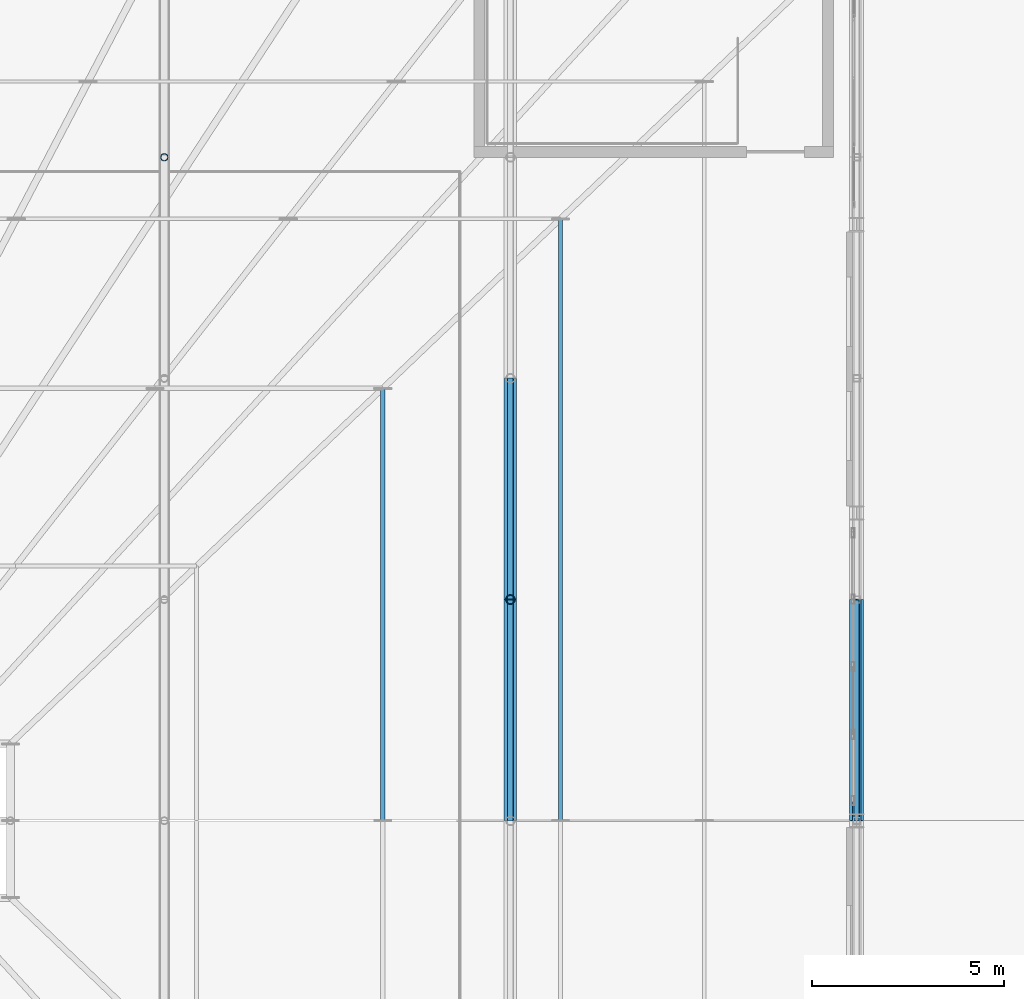
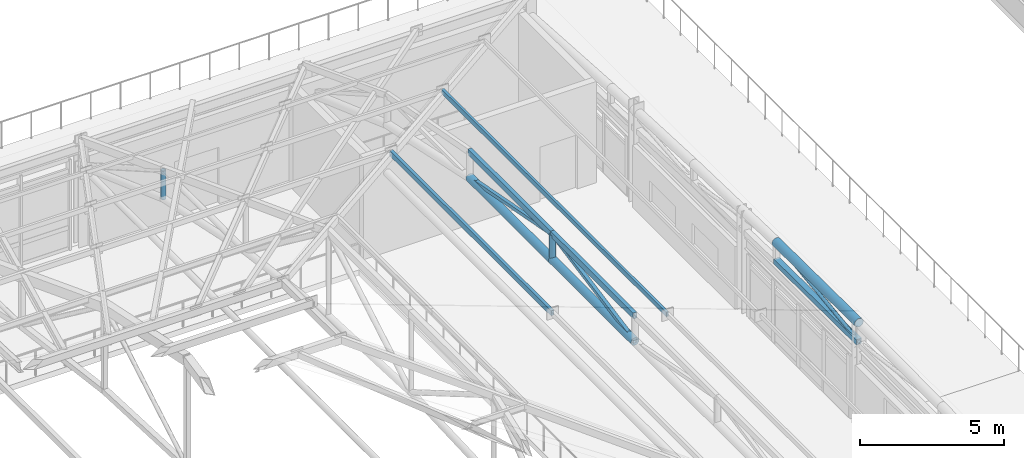
# One storey, part 62 of 168: 10 members, 3 beams.
"""IFC4 building model written with IfcOpenShell, lengths in metres."""

from ifc_helpers import new_model, si_unit, direction, frame, origin, origin_2d, place, context, subcontext, project, spatial, hollow_rectangle, hollow_circle, extrude, material, material_profile, profile_set, type_object, element, save


model = new_model("IFC4")

# Units and contexts
model_context = context("Model", 3, precision=1e-05, world=origin(), true_north=direction((0.0, 1.0)))
body_context = subcontext(model_context, "Body", "Model", "MODEL_VIEW")
ifc_project = project(units=[si_unit("LENGTHUNIT", "METRE"), si_unit("AREAUNIT", "SQUARE_METRE"), si_unit("VOLUMEUNIT", "CUBIC_METRE"), si_unit("PLANEANGLEUNIT", "RADIAN"), si_unit("MASSUNIT", "GRAM", prefix="KILO"), si_unit("THERMODYNAMICTEMPERATUREUNIT", "KELVIN"), si_unit("POWERUNIT", "WATT")], contexts=[model_context])

# Site, building, storey
site_placement = place(None, origin())
site = spatial("IfcSite", under=ifc_project, at=site_placement, CompositionType="ELEMENT")
building_placement = place(site_placement, origin())
building = spatial("IfcBuilding", under=site, at=building_placement, Name="Tepalcoro Natatorium and Aquatics Centre", CompositionType="ELEMENT")
storey_placement = place(building_placement, frame((0.0, 0.0, 10.199951171875)))
storey = spatial("IfcBuildingStorey", under=building, at=storey_placement, Name="L02", CompositionType="ELEMENT", Elevation=10.199951171875)

# Beams
ifc_material_1 = material(Name="Terracotta Painted Hollow Steel ASTM A500 Grade C (Fy 345 MPa)", Category="masonry")
ifc_material_profile_1 = material_profile(ifc_material_1, hollow_circle(Radius=0.177978515625, WallThickness=0.01611328125, at=origin_2d()), Name="CHS356X16")
ifc_profile_set_1 = profile_set([ifc_material_profile_1], Name="Terracotta Painted Hollow Steel ASTM A500 Grade C (Fy 345 MPa)")
beam_type_1 = type_object("IfcBeamType", Name="AC_CHS356x16", PredefinedType="USERDEFINED", material=ifc_profile_set_1)
beam_placement = place(storey_placement, frame((125.0, 36.0, 4.300048828125), z_axis=(0.0, 0.999957556984, -0.009213263836), x_axis=(-1.0, 0.0, 0.0)))
element("IfcBeam", 1, at=beam_placement, inside=storey, type_object=beam_type_1, Name="V1 Gable Arched Truss Top Chord 9", ObjectType="ARCH CHORD", PredefinedType="USERDEFINED", context=body_context, shape_type="SweptSolid", body=[
    extrude(hollow_circle(Radius=0.177978515625, WallThickness=0.01611328125, at=origin_2d()), origin(), (0.0, 0.0, 1.0), 5.750244140625),
])
ifc_material_profile_2 = material_profile(ifc_material_1, hollow_rectangle(XDim=0.14990234375, YDim=0.25, WallThickness=0.011962890625, at=origin_2d()), Name="HSS250X150X12")
ifc_profile_set_2 = profile_set([ifc_material_profile_2], Name="Terracotta Painted Hollow Steel ASTM A500 Grade C (Fy 345 MPa)")
beam_type_2 = type_object("IfcBeamType", Name="AC_HSS250x150x12", PredefinedType="USERDEFINED", material=ifc_profile_set_2)
for number, where, z_axis, x_axis, name in (
    (2, (116.0, 36.0, 7.755859375), (0.0, 1.0, 0.0), (-1.0, 0.0, 0.0), "V1 Arched Truss Top Chord 8"),
    (3, (116.0, 41.75, 7.755859375), (0.0, 1.0, 0.0), (-1.0, 0.0, 0.0), "V1 Arched Truss Top Chord 8"),
):
    element("IfcBeam", number, at=place(storey_placement, frame(where, z_axis=z_axis, x_axis=x_axis)), inside=storey, type_object=beam_type_2, Name=name, ObjectType="ARCH CHORD", PredefinedType="USERDEFINED", context=body_context, shape_type="SweptSolid", body=[
        extrude(hollow_rectangle(XDim=0.14990234375, YDim=0.25, WallThickness=0.011962890625, at=origin_2d()), origin(), (0.0, 0.0, 1.0), 5.75),
    ])

# Members
ifc_material_profile_3 = material_profile(ifc_material_1, hollow_circle(Radius=0.162109375, WallThickness=0.013916015625, at=origin_2d()), Name="CHS324X14")
ifc_profile_set_3 = profile_set([ifc_material_profile_3], Name="Terracotta Painted Hollow Steel ASTM A500 Grade C (Fy 345 MPa)")
member_type_1 = type_object("IfcMemberType", Name="MB_CH_CHS324x14", PredefinedType="CHORD", material=ifc_profile_set_3)
for number, where, z_axis, x_axis, name in (
    (4, (116.0, 36.0, 6.656005859375), (0.0, 1.0, 0.0), (-1.0, 0.0, 0.0), "V1 Arched Truss Bottom Chord 8"),
    (5, (116.0, 41.75, 6.656005859375), (0.0, 1.0, 0.0), (-1.0, 0.0, 0.0), "V1 Arched Truss Bottom Chord 8"),
):
    element("IfcMember", number, at=place(storey_placement, frame(where, z_axis=z_axis, x_axis=x_axis)), inside=storey, type_object=member_type_1, Name=name, PredefinedType="CHORD", context=body_context, shape_type="SweptSolid", body=[
        extrude(hollow_circle(Radius=0.162109375, WallThickness=0.013916015625, at=origin_2d()), origin(), (0.0, 0.0, 1.0), 5.75),
    ])
ifc_material_profile_4 = material_profile(ifc_material_1, hollow_rectangle(XDim=0.219970703125, YDim=0.219970703125, WallThickness=0.011962890625, at=origin_2d()), Name="HSS220X220X12")
ifc_profile_set_4 = profile_set([ifc_material_profile_4], Name="Terracotta Painted Hollow Steel ASTM A500 Grade C (Fy 345 MPa)")
member_type_2 = type_object("IfcMemberType", Name="MB_CH_HSS220x220x12", PredefinedType="CHORD", material=ifc_profile_set_4)
member_1_placement = place(storey_placement, frame((125.0, 36.0, 3.5), z_axis=(0.0, 0.999971119702, -0.007599984308), x_axis=(-1.0, 0.0, 0.0)))
element("IfcMember", 6, at=member_1_placement, inside=storey, type_object=member_type_2, Name="V1 Gable Arched Truss Bottom Chord 9", PredefinedType="CHORD", context=body_context, shape_type="SweptSolid", body=[
    extrude(hollow_rectangle(XDim=0.219970703125, YDim=0.219970703125, WallThickness=0.011962890625, at=origin_2d()), origin(), (0.0, 0.0, 1.0), 5.750244140625),
])
ifc_material_2 = material(Name="Hollow Steel ASTM A500 Grade C (Fy 345 MPa)", Category="steel")
ifc_material_profile_5 = material_profile(ifc_material_2, hollow_rectangle(XDim=0.10009765625, YDim=0.199951171875, WallThickness=0.008056640625, at=origin_2d()), Name="HSS200X100X8")
ifc_profile_set_5 = profile_set([ifc_material_profile_5], Name="Hollow Steel ASTM A500 Grade C (Fy 345 MPa)")
member_type_3 = type_object("IfcMemberType", Name="MB_PR_HSS200x100x8", PredefinedType="PURLIN", material=ifc_profile_set_5)
member_2_placement = place(storey_placement, frame((117.300048828125, 36.0, 7.359130859375), z_axis=(0.0, 1.0, 0.0), x_axis=(-1.0, 0.0, 0.0)))
element("IfcMember", 7, at=member_2_placement, inside=storey, type_object=member_type_3, Name="Pyramid Horizontal Purlin E", PredefinedType="PURLIN", context=body_context, shape_type="SweptSolid", body=[
    extrude(hollow_rectangle(XDim=0.10009765625, YDim=0.199951171875, WallThickness=0.008056640625, at=origin_2d()), origin(), (0.0, 0.0, 1.0), 15.64990234375),
])
ifc_material_profile_6 = material_profile(ifc_material_2, hollow_rectangle(XDim=0.1201171875, YDim=0.219970703125, WallThickness=0.010009765625, at=origin_2d()), Name="HSS220X120X10")
ifc_profile_set_6 = profile_set([ifc_material_profile_6], Name="Hollow Steel ASTM A500 Grade C (Fy 345 MPa)")
member_type_4 = type_object("IfcMemberType", Name="MB_PR_HSS220x120x10", PredefinedType="PURLIN", material=ifc_profile_set_6)
member_3_placement = place(storey_placement, frame((112.679931640625, 36.0, 9.033203125), z_axis=(0.0, 1.0, 0.0), x_axis=(-1.0, 0.0, 0.0)))
element("IfcMember", 8, at=member_3_placement, inside=storey, type_object=member_type_4, Name="Pyramid Horizontal Purlin E", PredefinedType="PURLIN", context=body_context, shape_type="SweptSolid", body=[
    extrude(hollow_rectangle(XDim=0.1201171875, YDim=0.219970703125, WallThickness=0.010009765625, at=origin_2d()), origin(), (0.0, 0.0, 1.0), 11.239990234375),
])
ifc_material_profile_7 = material_profile(ifc_material_1, hollow_circle(Radius=0.096923828125, WallThickness=0.010009765625, at=origin_2d()), Name="CHS194X10")
ifc_profile_set_7 = profile_set([ifc_material_profile_7], Name="Terracotta Painted Hollow Steel ASTM A500 Grade C (Fy 345 MPa)")
member_type_5 = type_object("IfcMemberType", Name="MB_PS_CHS194x10", PredefinedType="POST", material=ifc_profile_set_7)
member_4_placement = place(storey_placement, frame((107.0, 53.25, 5.42822265625), z_axis=(0.0, 0.0, 1.0), x_axis=(1.0, 0.0, 0.0)))
element("IfcMember", 9, at=member_4_placement, inside=storey, type_object=member_type_5, Name="V1 Arched Truss Vertical Post 7", PredefinedType="POST", context=body_context, shape_type="SweptSolid", body=[
    extrude(hollow_circle(Radius=0.096923828125, WallThickness=0.010009765625, at=origin_2d()), origin(), (0.0, 0.0, 1.0), 1.2177734375),
])
ifc_material_profile_8 = material_profile(ifc_material_1, hollow_circle(Radius=0.1220703125, WallThickness=0.011962890625, at=origin_2d()), Name="CHS244X12")
ifc_profile_set_8 = profile_set([ifc_material_profile_8], Name="Terracotta Painted Hollow Steel ASTM A500 Grade C (Fy 345 MPa)")
member_type_6 = type_object("IfcMemberType", Name="MB_PS_CHS244x12", PredefinedType="POST", material=ifc_profile_set_8)
member_5_placement = place(storey_placement, frame((116.0, 41.75, 6.656005859375), z_axis=(0.0, 0.0, 1.0), x_axis=(1.0, 0.0, 0.0)))
element("IfcMember", 10, at=member_5_placement, inside=storey, type_object=member_type_6, Name="V1 Arched Truss Vertical Post 8", PredefinedType="POST", context=body_context, shape_type="SweptSolid", body=[
    extrude(hollow_circle(Radius=0.1220703125, WallThickness=0.011962890625, at=origin_2d()), origin(), (0.0, 0.0, 1.0), 1.099853515625),
])
ifc_material_profile_9 = material_profile(ifc_material_1, hollow_circle(Radius=0.070068359375, WallThickness=0.008056640625, at=origin_2d()), Name="CHS140X8")
ifc_profile_set_9 = profile_set([ifc_material_profile_9], Name="Terracotta Painted Hollow Steel ASTM A500 Grade C (Fy 345 MPa)")
member_type_7 = type_object("IfcMemberType", Name="MB_ST_CHS140x8", PredefinedType="STRUT", material=ifc_profile_set_9)
member_6_placement = place(storey_placement, frame((125.0, 36.0, 3.5), z_axis=(0.0, 0.991665088265, 0.128842356067), x_axis=(-1.0, 0.0, 0.0)))
element("IfcMember", 11, at=member_6_placement, inside=storey, type_object=member_type_7, Name="V1 Arched Truss Web Diagonal 9", PredefinedType="STRUT", context=body_context, shape_type="SweptSolid", body=[
    extrude(hollow_circle(Radius=0.070068359375, WallThickness=0.008056640625, at=origin_2d()), origin(), (0.0, 0.0, 1.0), 5.79833984375),
])
ifc_material_profile_10 = material_profile(ifc_material_2, hollow_rectangle(XDim=0.139892578125, YDim=0.139892578125, WallThickness=0.008056640625, at=origin_2d()), Name="HSS140X140X8")
ifc_profile_set_10 = profile_set([ifc_material_profile_10], Name="Hollow Steel ASTM A500 Grade C (Fy 345 MPa)")
member_type_8 = type_object("IfcMemberType", Name="MB_ST_HSS140x140x8", PredefinedType="STRUT", material=ifc_profile_set_10)
for number, where, z_axis, x_axis, name in (
    (12, (116.0, 36.0, 6.656005859375), (0.0, 0.982193360105, 0.187872838284), (-1.0, 0.0, 0.0), "V1 Arched Truss Web Diagonal 8"),
    (13, (116.0, 41.75, 7.755859375), (0.0, 0.982193360105, -0.187872838284), (-1.0, 0.0, 0.0), "V1 Arched Truss Web Diagonal 8"),
):
    element("IfcMember", number, at=place(storey_placement, frame(where, z_axis=z_axis, x_axis=x_axis)), inside=storey, type_object=member_type_8, Name=name, PredefinedType="STRUT", context=body_context, shape_type="SweptSolid", body=[
        extrude(hollow_rectangle(XDim=0.139892578125, YDim=0.139892578125, WallThickness=0.008056640625, at=origin_2d()), origin(), (0.0, 0.0, 1.0), 5.854248046875),
    ])

save(model, "model.ifc")
